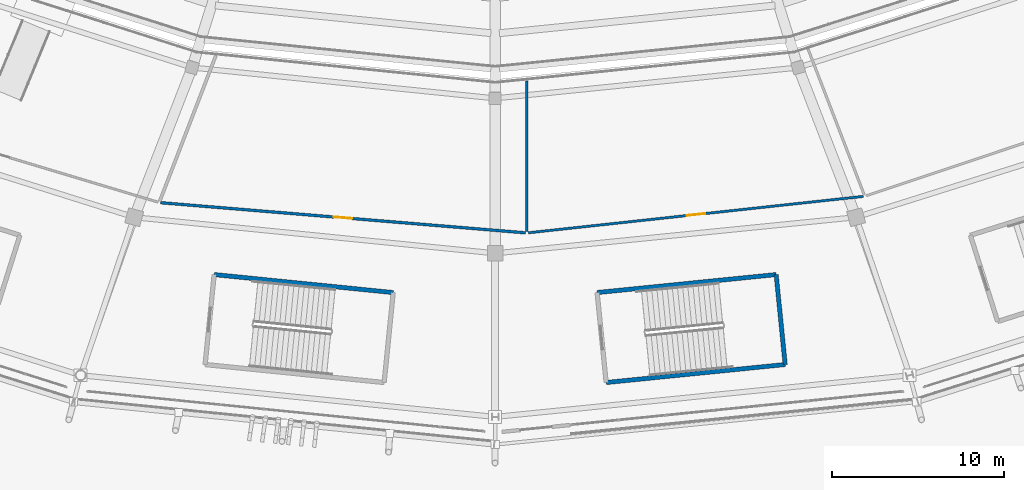
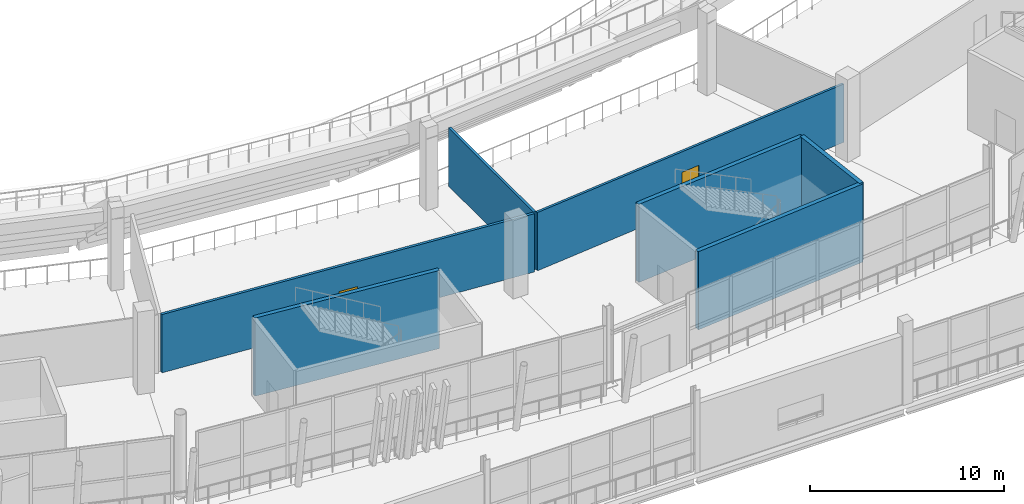
# One storey, part 123 of 178: 7 walls, 2 doors, 2 openings.
"""IFC4 building model written with IfcOpenShell, lengths in metres."""

from ifc_helpers import new_model, si_unit, direction, frame, frame_2d, origin, place, context, subcontext, project, spatial, rectangle, extrude, material, layer, layer_set, type_object, element, fill, save


model = new_model("IFC4")

# Units and contexts
model_context = context("Model", 3, precision=1e-05, world=origin(), true_north=direction((0.0, 1.0)))
body_context = subcontext(model_context, "Body", "Model", "MODEL_VIEW")
ifc_project = project(units=[si_unit("LENGTHUNIT", "METRE"), si_unit("AREAUNIT", "SQUARE_METRE"), si_unit("VOLUMEUNIT", "CUBIC_METRE"), si_unit("PLANEANGLEUNIT", "RADIAN"), si_unit("MASSUNIT", "GRAM", prefix="KILO")], contexts=[model_context])

# Site, building, storey
site_placement = place(None, origin())
site = spatial("IfcSite", under=ifc_project, at=site_placement, CompositionType="ELEMENT")
building_placement = place(site_placement, origin())
building = spatial("IfcBuilding", under=site, at=building_placement, Name="Zlatoyarsky Gate Stadium", CompositionType="ELEMENT")
storey_placement = place(building_placement, frame((0.0, 0.0, 5.39990234375)))
storey = spatial("IfcBuildingStorey", under=building, at=storey_placement, Name="L01", CompositionType="ELEMENT", Elevation=5.39990234375)

# Wall, opening, door
ifc_material_1 = material(Name="Moisture-resistant masonry partition", Category="masonry")
ifc_layer_1 = layer(ifc_material_1, 0.139892578125)
ifc_layer_set_1 = layer_set([ifc_layer_1], Name="Moisture-resistant masonry partition")
wall_type_1 = type_object("IfcWallType", Name="ATHLETE CHANGING BLOCK PARTITION 140", PredefinedType="PARTITIONING", material=ifc_layer_set_1)
wall_1_placement = place(storey_placement, frame((112.92529296875, 19.69287109375, 0.0), z_axis=(0.0, 0.0, 1.0), x_axis=(0.994148133476, 0.108025407687, 0.0)))
wall_1 = element("IfcWall", 1, at=wall_1_placement, inside=storey, type_object=wall_type_1, Name="L01 vomitory portal wall PRT-L01-ICC-18", PredefinedType="PARTITIONING", context=body_context, shape_type="SweptSolid", body=[
    extrude(rectangle(XDim=19.569580078125, YDim=0.139892578125, at=frame_2d((9.78466796875, 0.0))), origin(), (0.0, 0.0, 1.0), 3.670166015625),
])
opening_1_placement = place(wall_1_placement, frame((9.24462890625, 0.0, 0.0)))
opening_1 = element("IfcOpeningElement", 2, at=opening_1_placement, cuts=wall_1, Name="Opening D-L01-263", PredefinedType="OPENING", context=body_context, shape_type="SweptSolid", body=[
    extrude(rectangle(XDim=1.080078125, YDim=2.3798828125, at=frame_2d((0.5400390625, 1.18994140625))), frame((0.0, 0.079833984375, 0.0), z_axis=(0.0, -1.0, 0.0), x_axis=(1.0, 0.0, 0.0)), (0.0, 0.0, 1.0), 0.159912109375),
])
ifc_material_2 = material(Name="Powder-coated steel fire door", Category="steel")
door_type_1 = type_object("IfcDoorType", Name="ACOUSTIC INTERIOR DOOR 1080X2380", OperationType="NOTDEFINED", PredefinedType="DOOR", material=ifc_material_2)
door_1_placement = place(opening_1_placement, origin())
door_1 = element("IfcDoor", 3, at=door_1_placement, inside=storey, type_object=door_type_1, Name="L01 vomitory portal door D-L01-263", OperationType="SINGLE_SWING_LEFT", OverallHeight=2.3798828125, OverallWidth=1.080078125, PredefinedType="DOOR", context=body_context, shape_type="SweptSolid", body=[
    extrude(rectangle(XDim=1.080078125, YDim=2.3798828125, at=frame_2d((0.5400390625, 1.18994140625))), frame((0.0, 0.02490234375, 0.0), z_axis=(0.0, -1.0, 0.0), x_axis=(1.0, 0.0, 0.0)), (0.0, 0.0, 1.0), 0.050048828125),
])
fill(opening_1, door_1)

# Walls
ifc_material_3 = material(Name="Metal-stud gypsum partition", Category="gypsum")
ifc_layer_2 = layer(ifc_material_3, 0.14990234375)
ifc_layer_set_2 = layer_set([ifc_layer_2], Name="Metal-stud gypsum partition")
wall_type_2 = type_object("IfcWallType", Name="CONCOURSE CORRIDOR PARTITION 150", PredefinedType="PARTITIONING", material=ifc_layer_set_2)
wall_2_placement = place(storey_placement, frame((112.840576171875, 28.521484375, 0.0), z_axis=(0.0, 0.0, 1.0), x_axis=(2.7893225e-05, -0.999999999611, 0.0)))
element("IfcWall", 4, at=wall_2_placement, inside=storey, type_object=wall_type_2, Name="L01 interior partition PRT-L01-IRD-18", PredefinedType="PARTITIONING", context=body_context, shape_type="SweptSolid", body=[
    extrude(rectangle(XDim=8.752685546875, YDim=0.14990234375, at=frame_2d((4.37646484375, 0.0))), origin(), (0.0, 0.0, 1.0), 3.670166015625),
])
ifc_material_4 = material(Name="Concrete C40/50", Category="concrete")
ifc_layer_3 = layer(ifc_material_4, 0.25)
ifc_layer_set_3 = layer_set([ifc_layer_3], Name="Concrete C40/50")
wall_type_3 = type_object("IfcWallType", Name="CONCRETE STAIR CORE SHEAR WALL 250", PredefinedType="SHEAR", material=ifc_layer_set_3)
wall_3_placement = place(storey_placement, frame((117.446533203125, 10.997314453125, 0.0), z_axis=(0.0, 0.0, 1.0), x_axis=(0.994985938948, 0.100014905366, 0.0)))
element("IfcWall", 5, at=wall_3_placement, inside=storey, type_object=wall_type_3, Name="ST-10 L01 stair core left shear wall", PredefinedType="SHEAR", context=body_context, shape_type="SweptSolid", body=[
    extrude(rectangle(XDim=10.4501953125, YDim=0.25, at=frame_2d((5.22509765625, 0.0))), origin(), (0.0, 0.0, 1.0), 4.920166015625),
])
wall_4_placement = place(storey_placement, frame((127.84423828125, 12.04248046875, 0.0), z_axis=(0.0, 0.0, 1.0), x_axis=(-0.100028593886, 0.994984562898, 0.0)))
element("IfcWall", 6, at=wall_4_placement, inside=storey, type_object=wall_type_3, Name="ST-10 L01 stair core far shear wall", PredefinedType="SHEAR", context=body_context, shape_type="SweptSolid", body=[
    extrude(rectangle(XDim=5.25, YDim=0.25, at=frame_2d((2.625, 0.0))), origin(), (0.0, 0.0, 1.0), 4.920166015625),
])
wall_5_placement = place(storey_placement, frame((127.319091796875, 17.26611328125, 0.0), z_axis=(0.0, 0.0, 1.0), x_axis=(-0.994985938948, -0.100014905366, 0.0)))
element("IfcWall", 7, at=wall_5_placement, inside=storey, type_object=wall_type_3, Name="ST-10 L01 stair core right shear wall", PredefinedType="SHEAR", context=body_context, shape_type="SweptSolid", body=[
    extrude(rectangle(XDim=10.4501953125, YDim=0.25, at=frame_2d((5.22509765625, 0.0))), origin(), (0.0, 0.0, 1.0), 4.920166015625),
])
wall_6_placement = place(storey_placement, frame((105.078369140625, 16.220947265625, 0.0), z_axis=(0.0, 0.0, 1.0), x_axis=(-0.994985705245, 0.100017230303, 0.0)))
element("IfcWall", 8, at=wall_6_placement, inside=storey, type_object=wall_type_3, Name="ST-19 L01 stair core right shear wall", PredefinedType="SHEAR", context=body_context, shape_type="SweptSolid", body=[
    extrude(rectangle(XDim=10.449951171875, YDim=0.25, at=frame_2d((5.22509765625, 0.0))), origin(), (0.0, 0.0, 1.0), 4.920166015625),
])

# Wall, opening, door
ifc_material_5 = material(Name="Acoustic metal-stud gypsum partition", Category="gypsum")
ifc_layer_4 = layer(ifc_material_5, 0.159912109375)
ifc_layer_set_4 = layer_set([ifc_layer_4], Name="Acoustic metal-stud gypsum partition")
wall_type_4 = type_object("IfcWallType", Name="HOSPITALITY SUITE PARTITION 160", PredefinedType="PARTITIONING", material=ifc_layer_set_4)
wall_7_placement = place(storey_placement, frame((91.5751953125, 21.440185546875, 0.0), z_axis=(0.0, 0.0, 1.0), x_axis=(0.996606098427, -0.082318191055, 0.0)))
wall_7 = element("IfcWall", 9, at=wall_7_placement, inside=storey, type_object=wall_type_4, Name="L01 interior partition PRT-L01-ICC-17", PredefinedType="PARTITIONING", context=body_context, shape_type="SweptSolid", body=[
    extrude(rectangle(XDim=21.2529296875, YDim=0.159912109375, at=frame_2d((10.62646484375, 0.0))), origin(), (0.0, 0.0, 1.0), 3.670166015625),
])
opening_2_placement = place(wall_7_placement, frame((10.086669921875, 0.0, 0.0)))
opening_2 = element("IfcOpeningElement", 10, at=opening_2_placement, cuts=wall_7, Name="Opening D-L01-261", PredefinedType="OPENING", context=body_context, shape_type="SweptSolid", body=[
    extrude(rectangle(XDim=1.080078125, YDim=2.10009765625, at=frame_2d((0.5400390625, 1.050048828125))), frame((0.0, 0.08984375, 0.0), z_axis=(0.0, -1.0, 0.0), x_axis=(1.0, 0.0, 0.0)), (0.0, 0.0, 1.0), 0.179931640625),
])
door_type_2 = type_object("IfcDoorType", Name="ACOUSTIC INTERIOR DOOR 1080X2100", OperationType="NOTDEFINED", PredefinedType="DOOR", material=ifc_material_2)
door_2_placement = place(opening_2_placement, origin())
door_2 = element("IfcDoor", 11, at=door_2_placement, inside=storey, type_object=door_type_2, Name="L01 room door D-L01-261", OperationType="SINGLE_SWING_RIGHT", OverallHeight=2.10009765625, OverallWidth=1.080078125, PredefinedType="DOOR", context=body_context, shape_type="SweptSolid", body=[
    extrude(rectangle(XDim=1.080078125, YDim=2.10009765625, at=frame_2d((0.5400390625, 1.050048828125))), frame((0.0, 0.02490234375, 0.0), z_axis=(0.0, -1.0, 0.0), x_axis=(1.0, 0.0, 0.0)), (0.0, 0.0, 1.0), 0.050048828125),
])
fill(opening_2, door_2)

save(model, "model.ifc")
